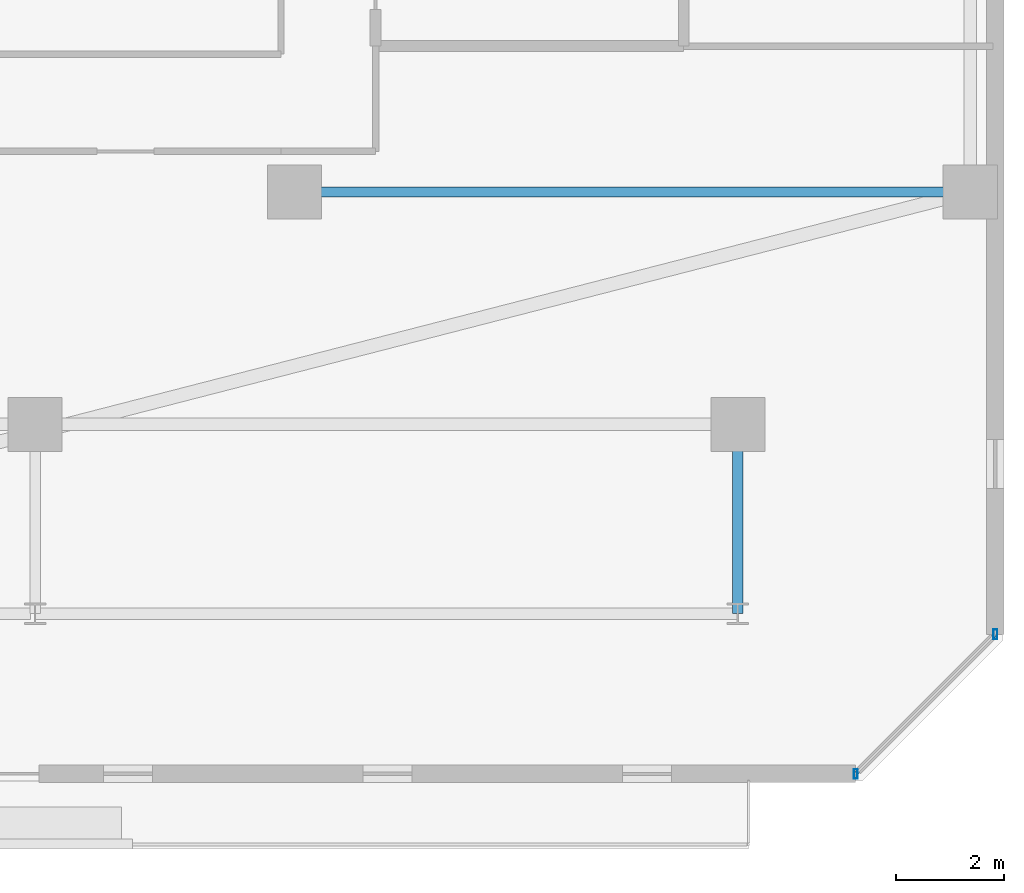
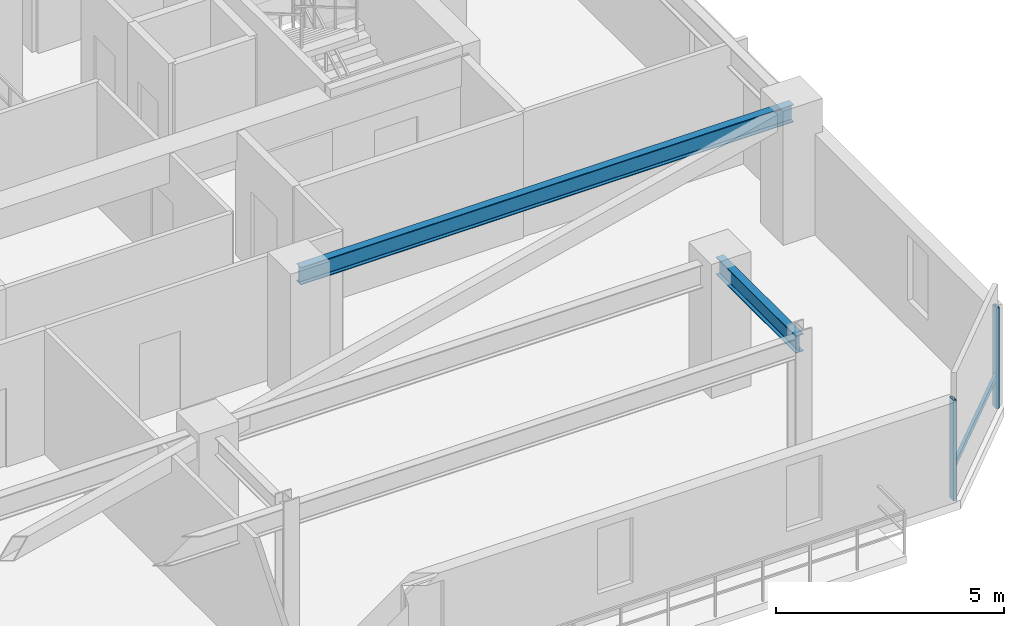
# One storey, part 13 of 33: 3 members, 2 beams, 1 element without a shape of its own.
"""IFC4 building model written with IfcOpenShell, lengths in metres."""

from ifc_helpers import new_model, si_unit, direction, frame, origin, origin_2d, place, context, subcontext, project, spatial, hollow_rectangle, i_section, extrude, material, material_profile, profile_set, type_object, element, aggregate, save


model = new_model("IFC4")

# Units and contexts
model_context = context("Model", 3, precision=1e-05, world=origin(), true_north=direction((0.0, 1.0)))
body_context = subcontext(model_context, "Body", "Model", "MODEL_VIEW")
ifc_project = project(units=[si_unit("LENGTHUNIT", "METRE"), si_unit("AREAUNIT", "SQUARE_METRE"), si_unit("VOLUMEUNIT", "CUBIC_METRE"), si_unit("PLANEANGLEUNIT", "RADIAN"), si_unit("MASSUNIT", "GRAM", prefix="KILO")], contexts=[model_context])

# Site, building, storey
site_placement = place(None, origin())
site = spatial("IfcSite", under=ifc_project, at=site_placement, CompositionType="ELEMENT")
building_placement = place(site_placement, origin())
building = spatial("IfcBuilding", under=site, at=building_placement, Name="Thornwick Lancets Civic Towers", CompositionType="ELEMENT")
storey_placement = place(building_placement, frame((0.0, 0.0, 214.5)))
storey = spatial("IfcBuildingStorey", under=building, at=storey_placement, Name="L57", CompositionType="ELEMENT", Elevation=214.5)

# Beams
ifc_material_1 = material(Name="Steel S355JR", Category="steel")
ifc_material_profile_1 = material_profile(ifc_material_1, i_section(OverallWidth=0.19287109375, OverallDepth=0.46728515625, WebThickness=0.011474609375, FlangeThickness=0.01953125, FilletRadius=0.01025390625, at=origin_2d()), Name="UKB 457x191x98")
ifc_profile_set_1 = profile_set([ifc_material_profile_1], Name="Steel S355JR")
beam_type = type_object("IfcBeamType", Name="BM_JOIST_457_98", PredefinedType="JOIST", material=ifc_profile_set_1)
beam_1_placement = place(storey_placement, frame((93.300048828125, 14.0, 3.12646484375), z_axis=(1.0, 0.0, 0.0), x_axis=(0.0, 1.0, 0.0)))
element("IfcBeam", 1, at=beam_1_placement, inside=storey, type_object=beam_type, Name="BM-RADIN-L57-B01", PredefinedType="JOIST", context=body_context, shape_type="SweptSolid", body=[
    extrude(i_section(OverallWidth=0.19287109375, OverallDepth=0.46728515625, WebThickness=0.011474609375, FlangeThickness=0.01953125, FilletRadius=0.01025390625, at=origin_2d()), origin(), (0.0, 0.0, 1.0), 12.5),
])
beam_2_placement = place(storey_placement, frame((101.5, 9.699951171875, 3.12646484375), z_axis=(0.0, -1.0, 0.0), x_axis=(1.0, 0.0, 0.0)))
element("IfcBeam", 2, at=beam_2_placement, inside=storey, type_object=beam_type, Name="BM-RAD-L57-B10", PredefinedType="JOIST", context=body_context, shape_type="SweptSolid", body=[
    extrude(i_section(OverallWidth=0.19287109375, OverallDepth=0.46728515625, WebThickness=0.011474609375, FlangeThickness=0.01953125, FilletRadius=0.01025390625, at=origin_2d()), origin(), (0.0, 0.0, 1.0), 3.5),
])

# Curtain wall, members
ifc_material_2 = material(Name="High-zone chamfered-corner unitised glass curtain wall", Category="glass")
curtain_wall_type = type_object("IfcCurtainWallType", Name="CW_SYS_05", PredefinedType="NOTDEFINED", material=ifc_material_2)
curtain_wall_placement = place(storey_placement, origin())
curtain_wall = element("IfcCurtainWall", 3, at=curtain_wall_placement, inside=storey, type_object=curtain_wall_type, Name="L57 Curtain Wall CW-L57-B-E1", PredefinedType="NOTDEFINED")
ifc_material_3 = material(Name="Thermally broken bronze aluminium S355", Category="steel")
ifc_material_profile_2 = material_profile(ifc_material_3, hollow_rectangle(XDim=0.074951171875, YDim=0.179931640625, WallThickness=0.006103515625, at=origin_2d()), Name="RHS 180x75x6")
ifc_profile_set_2 = profile_set([ifc_material_profile_2], Name="Thermally broken bronze aluminium S355")
member_type_1 = type_object("IfcMemberType", Name="CW_MUL_180", PredefinedType="MULLION", material=ifc_profile_set_2)
member_1_placement = place(storey_placement, frame((103.681396484375, 3.2353515625, 0.0), z_axis=(0.0, 0.0, 1.0), x_axis=(1.0, 0.0, 0.0)))
member_1 = element("IfcMember", 4, at=member_1_placement, type_object=member_type_1, Name="CW-L57-B-E1 Mullion 0", PredefinedType="MULLION", context=body_context, shape_type="SweptSolid", body=[
    extrude(hollow_rectangle(XDim=0.074951171875, YDim=0.179931640625, WallThickness=0.006103515625, at=origin_2d()), origin(), (0.0, 0.0, 1.0), 2.699951171875),
])
member_2_placement = place(storey_placement, frame((106.2646484375, 5.818603515625, 0.0), z_axis=(0.0, 0.0, 1.0), x_axis=(1.0, 0.0, 0.0)))
member_2 = element("IfcMember", 5, at=member_2_placement, type_object=member_type_1, Name="CW-L57-B-E1 Mullion 1", PredefinedType="MULLION", context=body_context, shape_type="SweptSolid", body=[
    extrude(hollow_rectangle(XDim=0.074951171875, YDim=0.179931640625, WallThickness=0.006103515625, at=origin_2d()), origin(), (0.0, 0.0, 1.0), 2.699951171875),
])
ifc_material_profile_3 = material_profile(ifc_material_3, hollow_rectangle(XDim=0.074951171875, YDim=0.14990234375, WallThickness=0.0048828125, at=origin_2d()), Name="RHS 150x75x5")
ifc_profile_set_3 = profile_set([ifc_material_profile_3], Name="Thermally broken bronze aluminium S355")
member_type_2 = type_object("IfcMemberType", Name="CW_TRN_150", PredefinedType="USERDEFINED", material=ifc_profile_set_3)
member_3_placement = place(storey_placement, frame((103.695556640625, 3.24951171875, 0.85009765625), z_axis=(0.707106781187, 0.707106781187, 0.0), x_axis=(-0.707106781187, 0.707106781187, 0.0)))
member_3 = element("IfcMember", 6, at=member_3_placement, type_object=member_type_2, Name="CW-L57-B-E1 Transom 0", ObjectType="TRANSOM", PredefinedType="USERDEFINED", context=body_context, shape_type="SweptSolid", body=[
    extrude(hollow_rectangle(XDim=0.074951171875, YDim=0.14990234375, WallThickness=0.0048828125, at=origin_2d()), origin(), (0.0, 0.0, 1.0), 3.61328125),
])
aggregate(curtain_wall, [member_1, member_2, member_3])

save(model, "model.ifc")
